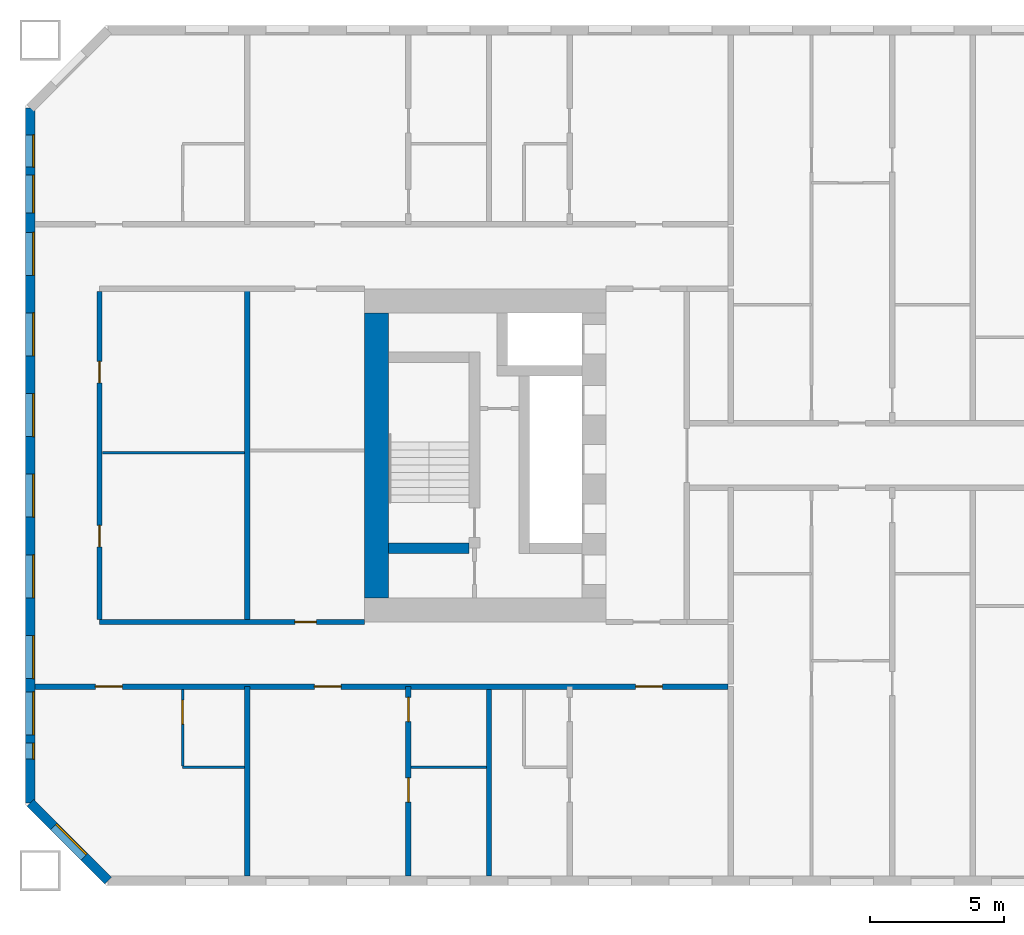
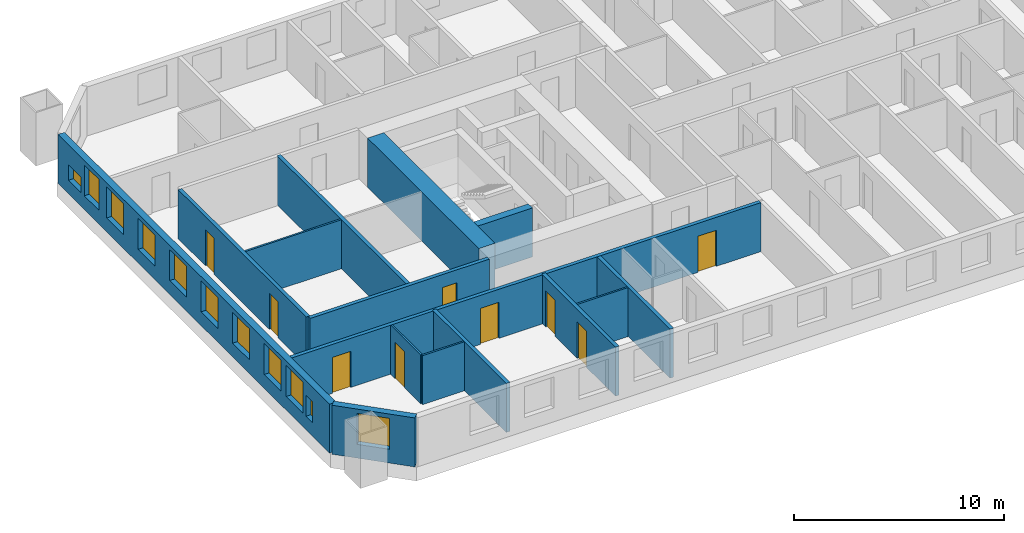
# One storey, part 2 of 16: 15 walls, 11 windows, 9 doors, 20 openings.
"""IFC4 building model written with IfcOpenShell, lengths in metres."""

from ifc_helpers import new_model, si_unit, direction, frame, frame_2d, origin, place, context, subcontext, project, spatial, rectangle, extrude, material, layer, layer_set, type_object, element, fill, save


model = new_model("IFC4")

# Units and contexts
model_context = context("Model", 3, precision=1e-05, world=origin(), true_north=direction((0.0, 1.0)))
body_context = subcontext(model_context, "Body", "Model", "MODEL_VIEW")
ifc_project = project(units=[si_unit("LENGTHUNIT", "METRE"), si_unit("AREAUNIT", "SQUARE_METRE"), si_unit("VOLUMEUNIT", "CUBIC_METRE"), si_unit("PLANEANGLEUNIT", "RADIAN"), si_unit("MASSUNIT", "GRAM", prefix="KILO")], contexts=[model_context])

# Site, building, storey
site_placement = place(None, origin())
site = spatial("IfcSite", under=ifc_project, at=site_placement, CompositionType="ELEMENT")
building_placement = place(site_placement, origin())
building = spatial("IfcBuilding", under=site, at=building_placement, Name="Tuart Gate Housing", CompositionType="ELEMENT")
storey_placement = place(building_placement, frame((0.0, 0.0, 19.5)))
storey = spatial("IfcBuildingStorey", under=building, at=storey_placement, Name="L04", CompositionType="ELEMENT", Elevation=19.5)

# Wall, opening, window
ifc_material_1 = material(Name="Brick", Category="masonry")
ifc_layer_1 = layer(ifc_material_1, 0.360107421875)
ifc_layer_set_1 = layer_set([ifc_layer_1], Name="Brick pier and spandrel wall 360")
wall_type_1 = type_object("IfcWallType", Name="Brick pier and spandrel wall 360", PredefinedType="STANDARD", material=ifc_layer_set_1)
wall_1_placement = place(storey_placement, frame((19.929931640625, 57.07470703125, 0.0), z_axis=(0.0, 0.0, 1.0), x_axis=(0.707106781187, -0.707106781187, 0.0)))
wall_1 = element("IfcWall", 1, at=wall_1_placement, inside=storey, type_object=wall_type_1, Name="External wall A-SW L04", PredefinedType="STANDARD", context=body_context, shape_type="SweptSolid", body=[
    extrude(rectangle(XDim=4.09375, YDim=0.360107421875, at=frame_2d((2.046875, 0.0))), origin(), (0.0, 0.0, 1.0), 2.85009765625),
])
opening_1_placement = place(wall_1_placement, frame((1.2470703125, 0.0, 0.800048828125)))
opening_1 = element("IfcOpeningElement", 2, at=opening_1_placement, cuts=wall_1, Name="Opening W1", PredefinedType="OPENING", context=body_context, shape_type="SweptSolid", body=[
    extrude(rectangle(XDim=1.60009765625, YDim=1.800048828125, at=frame_2d((0.800048828125, 0.89990234375))), frame((0.0, 0.18994140625, 0.0), z_axis=(0.0, -1.0, 0.0), x_axis=(1.0, 0.0, 0.0)), (0.0, 0.0, 1.0), 0.380126953125),
])
ifc_material_2 = material(Name="Aluminium frame with clear glass", Category="aluminium")
window_type_1 = type_object("IfcWindowType", Name="Punched window 1600 x 1800", PartitioningType="SINGLE_PANEL", PredefinedType="WINDOW", material=ifc_material_2)
window_1_placement = place(opening_1_placement, origin())
window_1 = element("IfcWindow", 3, at=window_1_placement, inside=storey, type_object=window_type_1, Name="Window W1", OverallHeight=1.800048828125, OverallWidth=1.60009765625, PartitioningType="SINGLE_PANEL", PredefinedType="WINDOW", context=body_context, shape_type="SweptSolid", body=[
    extrude(rectangle(XDim=1.60009765625, YDim=1.800048828125, at=frame_2d((0.800048828125, 0.89990234375))), frame((0.0, 0.150146484375, 0.0), z_axis=(0.0, -1.0, 0.0), x_axis=(1.0, 0.0, 0.0)), (0.0, 0.0, 1.0), 0.06005859375),
])
fill(opening_1, window_1)

# Wall, openings, windows
wall_2_placement = place(storey_placement, frame((19.929931640625, 82.92529296875, 0.0), z_axis=(0.0, 0.0, 1.0), x_axis=(0.0, -1.0, 0.0)))
wall_2 = element("IfcWall", 4, at=wall_2_placement, inside=storey, type_object=wall_type_1, Name="External wall A-W L04", PredefinedType="STANDARD", context=body_context, shape_type="SweptSolid", body=[
    extrude(rectangle(XDim=25.850830078125, YDim=0.360107421875, at=frame_2d((12.92529296875, 0.0))), origin(), (0.0, 0.0, 1.0), 2.85009765625),
])
opening_2_placement = place(wall_2_placement, frame((1.0, 0.0, 0.800048828125)))
opening_2 = element("IfcOpeningElement", 5, at=opening_2_placement, cuts=wall_2, Name="Opening W1T", PredefinedType="OPENING", context=body_context, shape_type="SweptSolid", body=[
    extrude(rectangle(XDim=1.199951171875, YDim=0.89990234375, at=frame_2d((0.60009765625, 0.449951171875))), frame((0.0, 0.18994140625, 0.0), z_axis=(0.0, -1.0, 0.0), x_axis=(1.0, 0.0, 0.0)), (0.0, 0.0, 1.0), 0.380126953125),
])
opening_3_placement = place(wall_2_placement, frame((4.62548828125, 0.0, 0.800048828125)))
opening_3 = element("IfcOpeningElement", 6, at=opening_3_placement, cuts=wall_2, Name="Opening W1", PredefinedType="OPENING", context=body_context, shape_type="SweptSolid", body=[
    extrude(rectangle(XDim=1.60009765625, YDim=1.800048828125, at=frame_2d((0.800048828125, 0.89990234375))), frame((0.0, 0.18994140625, 0.0), z_axis=(0.0, -1.0, 0.0), x_axis=(1.0, 0.0, 0.0)), (0.0, 0.0, 1.0), 0.380126953125),
])
opening_4_placement = place(wall_2_placement, frame((7.62548828125, 0.0, 0.800048828125)))
opening_4 = element("IfcOpeningElement", 7, at=opening_4_placement, cuts=wall_2, Name="Opening W1", PredefinedType="OPENING", context=body_context, shape_type="SweptSolid", body=[
    extrude(rectangle(XDim=1.60009765625, YDim=1.800048828125, at=frame_2d((0.800048828125, 0.89990234375))), frame((0.0, 0.18994140625, 0.0), z_axis=(0.0, -1.0, 0.0), x_axis=(1.0, 0.0, 0.0)), (0.0, 0.0, 1.0), 0.380126953125),
])
opening_5_placement = place(wall_2_placement, frame((10.62548828125, 0.0, 0.800048828125)))
opening_5 = element("IfcOpeningElement", 8, at=opening_5_placement, cuts=wall_2, Name="Opening W1", PredefinedType="OPENING", context=body_context, shape_type="SweptSolid", body=[
    extrude(rectangle(XDim=1.60009765625, YDim=1.800048828125, at=frame_2d((0.800048828125, 0.89990234375))), frame((0.0, 0.18994140625, 0.0), z_axis=(0.0, -1.0, 0.0), x_axis=(1.0, 0.0, 0.0)), (0.0, 0.0, 1.0), 0.380126953125),
])
opening_6_placement = place(wall_2_placement, frame((13.62548828125, 0.0, 0.800048828125)))
opening_6 = element("IfcOpeningElement", 9, at=opening_6_placement, cuts=wall_2, Name="Opening W1", PredefinedType="OPENING", context=body_context, shape_type="SweptSolid", body=[
    extrude(rectangle(XDim=1.60009765625, YDim=1.800048828125, at=frame_2d((0.800048828125, 0.89990234375))), frame((0.0, 0.18994140625, 0.0), z_axis=(0.0, -1.0, 0.0), x_axis=(1.0, 0.0, 0.0)), (0.0, 0.0, 1.0), 0.380126953125),
])
opening_7_placement = place(wall_2_placement, frame((16.62548828125, 0.0, 0.800048828125)))
opening_7 = element("IfcOpeningElement", 10, at=opening_7_placement, cuts=wall_2, Name="Opening W1", PredefinedType="OPENING", context=body_context, shape_type="SweptSolid", body=[
    extrude(rectangle(XDim=1.60009765625, YDim=1.800048828125, at=frame_2d((0.800048828125, 0.89990234375))), frame((0.0, 0.18994140625, 0.0), z_axis=(0.0, -1.0, 0.0), x_axis=(1.0, 0.0, 0.0)), (0.0, 0.0, 1.0), 0.380126953125),
])
opening_8_placement = place(wall_2_placement, frame((19.62548828125, 0.0, 0.800048828125)))
opening_8 = element("IfcOpeningElement", 11, at=opening_8_placement, cuts=wall_2, Name="Opening W1", PredefinedType="OPENING", context=body_context, shape_type="SweptSolid", body=[
    extrude(rectangle(XDim=1.60009765625, YDim=1.800048828125, at=frame_2d((0.800048828125, 0.89990234375))), frame((0.0, 0.18994140625, 0.0), z_axis=(0.0, -1.0, 0.0), x_axis=(1.0, 0.0, 0.0)), (0.0, 0.0, 1.0), 0.380126953125),
])
opening_9_placement = place(wall_2_placement, frame((21.725341796875, 0.0, 0.800048828125)))
opening_9 = element("IfcOpeningElement", 12, at=opening_9_placement, cuts=wall_2, Name="Opening W1", PredefinedType="OPENING", context=body_context, shape_type="SweptSolid", body=[
    extrude(rectangle(XDim=1.60009765625, YDim=1.800048828125, at=frame_2d((0.800048828125, 0.89990234375))), frame((0.0, 0.18994140625, 0.0), z_axis=(0.0, -1.0, 0.0), x_axis=(1.0, 0.0, 0.0)), (0.0, 0.0, 1.0), 0.380126953125),
])
opening_10_placement = place(wall_2_placement, frame((2.5, 0.0, 0.800048828125)))
opening_10 = element("IfcOpeningElement", 13, at=opening_10_placement, cuts=wall_2, Name="Opening W1A", PredefinedType="OPENING", context=body_context, shape_type="SweptSolid", body=[
    extrude(rectangle(XDim=1.39990234375, YDim=1.800048828125, at=frame_2d((0.699951171875, 0.89990234375))), frame((0.0, 0.18994140625, 0.0), z_axis=(0.0, -1.0, 0.0), x_axis=(1.0, 0.0, 0.0)), (0.0, 0.0, 1.0), 0.380126953125),
])
opening_11_placement = place(wall_2_placement, frame((23.62548828125, 0.0, 0.800048828125)))
opening_11 = element("IfcOpeningElement", 14, at=opening_11_placement, cuts=wall_2, Name="Opening W1Q", PredefinedType="OPENING", context=body_context, shape_type="SweptSolid", body=[
    extrude(rectangle(XDim=0.60009765625, YDim=1.199951171875, at=frame_2d((0.300048828125, 0.60009765625))), frame((0.0, 0.18994140625, 0.0), z_axis=(0.0, -1.0, 0.0), x_axis=(1.0, 0.0, 0.0)), (0.0, 0.0, 1.0), 0.380126953125),
])
ifc_material_3 = material(Name="Aluminium frame with clear glass", Category="aluminium")
window_type_2 = type_object("IfcWindowType", Name="Punched window 1200 x 900", PartitioningType="SINGLE_PANEL", PredefinedType="WINDOW", material=ifc_material_3)
window_2_placement = place(opening_2_placement, origin())
window_2 = element("IfcWindow", 15, at=window_2_placement, inside=storey, type_object=window_type_2, Name="Window W1T", OverallHeight=0.89990234375, OverallWidth=1.199951171875, PartitioningType="SINGLE_PANEL", PredefinedType="WINDOW", context=body_context, shape_type="SweptSolid", body=[
    extrude(rectangle(XDim=1.199951171875, YDim=0.89990234375, at=frame_2d((0.60009765625, 0.449951171875))), frame((0.0, 0.150146484375, 0.0), z_axis=(0.0, -1.0, 0.0), x_axis=(1.0, 0.0, 0.0)), (0.0, 0.0, 1.0), 0.06005859375),
])
fill(opening_2, window_2)
ifc_material_4 = material(Name="Aluminium frame with clear glass", Category="aluminium")
window_type_3 = type_object("IfcWindowType", Name="Punched window 1400 x 1800", PartitioningType="SINGLE_PANEL", PredefinedType="WINDOW", material=ifc_material_4)
window_3_placement = place(opening_10_placement, origin())
window_3 = element("IfcWindow", 16, at=window_3_placement, inside=storey, type_object=window_type_3, Name="Window W1A", OverallHeight=1.800048828125, OverallWidth=1.39990234375, PartitioningType="SINGLE_PANEL", PredefinedType="WINDOW", context=body_context, shape_type="SweptSolid", body=[
    extrude(rectangle(XDim=1.39990234375, YDim=1.800048828125, at=frame_2d((0.699951171875, 0.89990234375))), frame((0.0, 0.150146484375, 0.0), z_axis=(0.0, -1.0, 0.0), x_axis=(1.0, 0.0, 0.0)), (0.0, 0.0, 1.0), 0.06005859375),
])
fill(opening_10, window_3)
window_4_placement = place(opening_3_placement, origin())
window_4 = element("IfcWindow", 17, at=window_4_placement, inside=storey, type_object=window_type_1, Name="Window W1", OverallHeight=1.800048828125, OverallWidth=1.60009765625, PartitioningType="SINGLE_PANEL", PredefinedType="WINDOW", context=body_context, shape_type="SweptSolid", body=[
    extrude(rectangle(XDim=1.60009765625, YDim=1.800048828125, at=frame_2d((0.800048828125, 0.89990234375))), frame((0.0, 0.150146484375, 0.0), z_axis=(0.0, -1.0, 0.0), x_axis=(1.0, 0.0, 0.0)), (0.0, 0.0, 1.0), 0.06005859375),
])
fill(opening_3, window_4)
window_5_placement = place(opening_4_placement, origin())
window_5 = element("IfcWindow", 18, at=window_5_placement, inside=storey, type_object=window_type_1, Name="Window W1", OverallHeight=1.800048828125, OverallWidth=1.60009765625, PartitioningType="SINGLE_PANEL", PredefinedType="WINDOW", context=body_context, shape_type="SweptSolid", body=[
    extrude(rectangle(XDim=1.60009765625, YDim=1.800048828125, at=frame_2d((0.800048828125, 0.89990234375))), frame((0.0, 0.150146484375, 0.0), z_axis=(0.0, -1.0, 0.0), x_axis=(1.0, 0.0, 0.0)), (0.0, 0.0, 1.0), 0.06005859375),
])
fill(opening_4, window_5)
window_6_placement = place(opening_5_placement, origin())
window_6 = element("IfcWindow", 19, at=window_6_placement, inside=storey, type_object=window_type_1, Name="Window W1", OverallHeight=1.800048828125, OverallWidth=1.60009765625, PartitioningType="SINGLE_PANEL", PredefinedType="WINDOW", context=body_context, shape_type="SweptSolid", body=[
    extrude(rectangle(XDim=1.60009765625, YDim=1.800048828125, at=frame_2d((0.800048828125, 0.89990234375))), frame((0.0, 0.150146484375, 0.0), z_axis=(0.0, -1.0, 0.0), x_axis=(1.0, 0.0, 0.0)), (0.0, 0.0, 1.0), 0.06005859375),
])
fill(opening_5, window_6)
window_7_placement = place(opening_6_placement, origin())
window_7 = element("IfcWindow", 20, at=window_7_placement, inside=storey, type_object=window_type_1, Name="Window W1", OverallHeight=1.800048828125, OverallWidth=1.60009765625, PartitioningType="SINGLE_PANEL", PredefinedType="WINDOW", context=body_context, shape_type="SweptSolid", body=[
    extrude(rectangle(XDim=1.60009765625, YDim=1.800048828125, at=frame_2d((0.800048828125, 0.89990234375))), frame((0.0, 0.150146484375, 0.0), z_axis=(0.0, -1.0, 0.0), x_axis=(1.0, 0.0, 0.0)), (0.0, 0.0, 1.0), 0.06005859375),
])
fill(opening_6, window_7)
window_8_placement = place(opening_7_placement, origin())
window_8 = element("IfcWindow", 21, at=window_8_placement, inside=storey, type_object=window_type_1, Name="Window W1", OverallHeight=1.800048828125, OverallWidth=1.60009765625, PartitioningType="SINGLE_PANEL", PredefinedType="WINDOW", context=body_context, shape_type="SweptSolid", body=[
    extrude(rectangle(XDim=1.60009765625, YDim=1.800048828125, at=frame_2d((0.800048828125, 0.89990234375))), frame((0.0, 0.150146484375, 0.0), z_axis=(0.0, -1.0, 0.0), x_axis=(1.0, 0.0, 0.0)), (0.0, 0.0, 1.0), 0.06005859375),
])
fill(opening_7, window_8)
window_9_placement = place(opening_8_placement, origin())
window_9 = element("IfcWindow", 22, at=window_9_placement, inside=storey, type_object=window_type_1, Name="Window W1", OverallHeight=1.800048828125, OverallWidth=1.60009765625, PartitioningType="SINGLE_PANEL", PredefinedType="WINDOW", context=body_context, shape_type="SweptSolid", body=[
    extrude(rectangle(XDim=1.60009765625, YDim=1.800048828125, at=frame_2d((0.800048828125, 0.89990234375))), frame((0.0, 0.150146484375, 0.0), z_axis=(0.0, -1.0, 0.0), x_axis=(1.0, 0.0, 0.0)), (0.0, 0.0, 1.0), 0.06005859375),
])
fill(opening_8, window_9)
window_10_placement = place(opening_9_placement, origin())
window_10 = element("IfcWindow", 23, at=window_10_placement, inside=storey, type_object=window_type_1, Name="Window W1", OverallHeight=1.800048828125, OverallWidth=1.60009765625, PartitioningType="SINGLE_PANEL", PredefinedType="WINDOW", context=body_context, shape_type="SweptSolid", body=[
    extrude(rectangle(XDim=1.60009765625, YDim=1.800048828125, at=frame_2d((0.800048828125, 0.89990234375))), frame((0.0, 0.150146484375, 0.0), z_axis=(0.0, -1.0, 0.0), x_axis=(1.0, 0.0, 0.0)), (0.0, 0.0, 1.0), 0.06005859375),
])
fill(opening_9, window_10)
ifc_material_5 = material(Name="Aluminium frame with clear glass", Category="aluminium")
window_type_4 = type_object("IfcWindowType", Name="Punched window 600 x 1200", PartitioningType="SINGLE_PANEL", PredefinedType="WINDOW", material=ifc_material_5)
window_11_placement = place(opening_11_placement, origin())
window_11 = element("IfcWindow", 24, at=window_11_placement, inside=storey, type_object=window_type_4, Name="Window W1Q", OverallHeight=1.199951171875, OverallWidth=0.60009765625, PartitioningType="SINGLE_PANEL", PredefinedType="WINDOW", context=body_context, shape_type="SweptSolid", body=[
    extrude(rectangle(XDim=0.60009765625, YDim=1.199951171875, at=frame_2d((0.300048828125, 0.60009765625))), frame((0.0, 0.150146484375, 0.0), z_axis=(0.0, -1.0, 0.0), x_axis=(1.0, 0.0, 0.0)), (0.0, 0.0, 1.0), 0.06005859375),
])
fill(opening_11, window_11)

# Walls
ifc_material_6 = material(Name="Concrete C60", Category="concrete")
ifc_layer_2 = layer(ifc_material_6, 0.39990234375)
ifc_layer_set_2 = layer_set([ifc_layer_2], Name="Core wall 400 C60")
wall_type_2 = type_object("IfcWallType", Name="Core wall 400 C60", PredefinedType="SHEAR", material=ifc_layer_set_2)
wall_3_placement = place(storey_placement, frame((36.260009765625, 66.550048828125, 0.0), z_axis=(0.0, 0.0, 1.0), x_axis=(-1.0, 0.0, 0.0)))
element("IfcWall", 25, at=wall_3_placement, inside=storey, type_object=wall_type_2, Name="Core wall AK.5", PredefinedType="SHEAR", context=body_context, shape_type="SweptSolid", body=[
    extrude(rectangle(XDim=3.0, YDim=0.39990234375, at=frame_2d((1.5, 0.0))), origin(), (0.0, 0.0, 1.0), 2.85009765625),
])
ifc_material_7 = material(Name="Concrete C60", Category="concrete")
ifc_layer_3 = layer(ifc_material_7, 0.89990234375)
ifc_layer_set_3 = layer_set([ifc_layer_3], Name="Core wall 900 C60")
wall_type_3 = type_object("IfcWallType", Name="Core wall 900 C60", PredefinedType="SHEAR", material=ifc_layer_set_3)
wall_4_placement = place(storey_placement, frame((32.81005859375, 75.300048828125, 0.0), z_axis=(0.0, 0.0, 1.0), x_axis=(0.0, -1.0, 0.0)))
element("IfcWall", 26, at=wall_4_placement, inside=storey, type_object=wall_type_3, Name="Core wall AK back", PredefinedType="SHEAR", context=body_context, shape_type="SweptSolid", body=[
    extrude(rectangle(XDim=10.60009765625, YDim=0.89990234375, at=frame_2d((5.300048828125, 0.0))), origin(), (0.0, 0.0, 1.0), 2.85009765625),
])

# Wall, openings, doors
ifc_material_8 = material(Name="Concrete masonry 15 MPa", Category="masonry")
ifc_layer_4 = layer(ifc_material_8, 0.199951171875)
ifc_layer_set_4 = layer_set([ifc_layer_4], Name="Corridor wall masonry 200")
wall_type_4 = type_object("IfcWallType", Name="Corridor wall masonry 200", PredefinedType="PARTITIONING", material=ifc_layer_set_4)
wall_5_placement = place(storey_placement, frame((20.110107421875, 61.39990234375, 0.0), z_axis=(0.0, 0.0, 1.0), x_axis=(1.0, 0.0, 0.0)))
wall_5 = element("IfcWall", 27, at=wall_5_placement, inside=storey, type_object=wall_type_4, Name="Corridor wall masonry 200", PredefinedType="PARTITIONING", context=body_context, shape_type="SweptSolid", body=[
    extrude(rectangle(XDim=25.789794921875, YDim=0.199951171875, at=frame_2d((12.89501953125, 0.0))), origin(), (0.0, 0.0, 1.0), 2.85009765625),
])
opening_12_placement = place(wall_5_placement, frame((22.340087890625, 0.0, 0.0)))
opening_12 = element("IfcOpeningElement", 28, at=opening_12_placement, cuts=wall_5, Name="Opening D397", PredefinedType="OPENING", context=body_context, shape_type="SweptSolid", body=[
    extrude(rectangle(XDim=1.0, YDim=2.10009765625, at=frame_2d((0.5, 1.050048828125))), frame((0.0, 0.10986328125, 0.0), z_axis=(0.0, -1.0, 0.0), x_axis=(1.0, 0.0, 0.0)), (0.0, 0.0, 1.0), 0.219970703125),
])
opening_13_placement = place(wall_5_placement, frame((10.389892578125, 0.0, 0.0)))
opening_13 = element("IfcOpeningElement", 29, at=opening_13_placement, cuts=wall_5, Name="Opening D398", PredefinedType="OPENING", context=body_context, shape_type="SweptSolid", body=[
    extrude(rectangle(XDim=1.0, YDim=2.10009765625, at=frame_2d((0.5, 1.050048828125))), frame((0.0, 0.10986328125, 0.0), z_axis=(0.0, -1.0, 0.0), x_axis=(1.0, 0.0, 0.0)), (0.0, 0.0, 1.0), 0.219970703125),
])
opening_14_placement = place(wall_5_placement, frame((2.2451171875, 0.0, 0.0)))
opening_14 = element("IfcOpeningElement", 30, at=opening_14_placement, cuts=wall_5, Name="Opening D399", PredefinedType="OPENING", context=body_context, shape_type="SweptSolid", body=[
    extrude(rectangle(XDim=1.0, YDim=2.10009765625, at=frame_2d((0.5, 1.050048828125))), frame((0.0, 0.10986328125, 0.0), z_axis=(0.0, -1.0, 0.0), x_axis=(1.0, 0.0, 0.0)), (0.0, 0.0, 1.0), 0.219970703125),
])
ifc_material_9 = material(Name="Timber door leaf in steel frame", Category="steel")
door_type_1 = type_object("IfcDoorType", Name="Flat entrance door 1000 RH", OperationType="SINGLE_SWING_RIGHT", PredefinedType="DOOR", material=ifc_material_9)
door_1_placement = place(opening_12_placement, frame((1.0, 0.0, 0.0), z_axis=(0.0, 0.0, 1.0), x_axis=(-1.0, 0.0, 0.0)))
door_1 = element("IfcDoor", 31, at=door_1_placement, inside=storey, type_object=door_type_1, Name="Flat entrance door", OperationType="SINGLE_SWING_RIGHT", OverallHeight=2.10009765625, OverallWidth=1.0, PredefinedType="DOOR", context=body_context, shape_type="SweptSolid", body=[
    extrude(rectangle(XDim=1.0, YDim=2.10009765625, at=frame_2d((0.5, 1.050048828125))), frame((0.0, 0.025146484375, 0.0), z_axis=(0.0, -1.0, 0.0), x_axis=(1.0, 0.0, 0.0)), (0.0, 0.0, 1.0), 0.050048828125),
])
fill(opening_12, door_1)
door_2_placement = place(opening_13_placement, frame((1.0, 0.0, 0.0), z_axis=(0.0, 0.0, 1.0), x_axis=(-1.0, 0.0, 0.0)))
door_2 = element("IfcDoor", 32, at=door_2_placement, inside=storey, type_object=door_type_1, Name="Flat entrance door", OperationType="SINGLE_SWING_RIGHT", OverallHeight=2.10009765625, OverallWidth=1.0, PredefinedType="DOOR", context=body_context, shape_type="SweptSolid", body=[
    extrude(rectangle(XDim=1.0, YDim=2.10009765625, at=frame_2d((0.5, 1.050048828125))), frame((0.0, 0.025146484375, 0.0), z_axis=(0.0, -1.0, 0.0), x_axis=(1.0, 0.0, 0.0)), (0.0, 0.0, 1.0), 0.050048828125),
])
fill(opening_13, door_2)
door_3_placement = place(opening_14_placement, frame((1.0, 0.0, 0.0), z_axis=(0.0, 0.0, 1.0), x_axis=(-1.0, 0.0, 0.0)))
door_3 = element("IfcDoor", 33, at=door_3_placement, inside=storey, type_object=door_type_1, Name="Flat entrance door", OperationType="SINGLE_SWING_RIGHT", OverallHeight=2.10009765625, OverallWidth=1.0, PredefinedType="DOOR", context=body_context, shape_type="SweptSolid", body=[
    extrude(rectangle(XDim=1.0, YDim=2.10009765625, at=frame_2d((0.5, 1.050048828125))), frame((0.0, 0.025146484375, 0.0), z_axis=(0.0, -1.0, 0.0), x_axis=(1.0, 0.0, 0.0)), (0.0, 0.0, 1.0), 0.050048828125),
])
fill(opening_14, door_3)

# Wall, opening, door
wall_6_placement = place(storey_placement, frame((22.510009765625, 63.800048828125, 0.0), z_axis=(0.0, 0.0, 1.0), x_axis=(1.0, 0.0, 0.0)))
wall_6 = element("IfcWall", 34, at=wall_6_placement, inside=storey, type_object=wall_type_4, Name="Corridor wall masonry 200", PredefinedType="PARTITIONING", context=body_context, shape_type="SweptSolid", body=[
    extrude(rectangle(XDim=9.85009765625, YDim=0.199951171875, at=frame_2d((4.925048828125, 0.0))), origin(), (0.0, 0.0, 1.0), 2.85009765625),
])
opening_15_placement = place(wall_6_placement, frame((7.27001953125, 0.0, 0.0)))
opening_15 = element("IfcOpeningElement", 35, at=opening_15_placement, cuts=wall_6, Name="Opening D384", PredefinedType="OPENING", context=body_context, shape_type="SweptSolid", body=[
    extrude(rectangle(XDim=0.800048828125, YDim=2.10009765625, at=frame_2d((0.39990234375, 1.050048828125))), frame((0.0, 0.10986328125, 0.0), z_axis=(0.0, -1.0, 0.0), x_axis=(1.0, 0.0, 0.0)), (0.0, 0.0, 1.0), 0.219970703125),
])
ifc_material_10 = material(Name="Timber door leaf in steel frame", Category="steel")
door_type_2 = type_object("IfcDoorType", Name="Store door 800", OperationType="SINGLE_SWING_LEFT", PredefinedType="DOOR", material=ifc_material_10)
door_4_placement = place(opening_15_placement, origin())
door_4 = element("IfcDoor", 36, at=door_4_placement, inside=storey, type_object=door_type_2, Name="Store door", OperationType="SINGLE_SWING_LEFT", OverallHeight=2.10009765625, OverallWidth=0.800048828125, PredefinedType="DOOR", context=body_context, shape_type="SweptSolid", body=[
    extrude(rectangle(XDim=0.800048828125, YDim=2.10009765625, at=frame_2d((0.39990234375, 1.050048828125))), frame((0.0, 0.02490234375, 0.0), z_axis=(0.0, -1.0, 0.0), x_axis=(1.0, 0.0, 0.0)), (0.0, 0.0, 1.0), 0.050048828125),
])
fill(opening_15, door_4)

# Wall, openings, doors
wall_7_placement = place(storey_placement, frame((22.510009765625, 63.89990234375, 0.0), z_axis=(0.0, 0.0, 1.0), x_axis=(0.0, 1.0, 0.0)))
wall_7 = element("IfcWall", 37, at=wall_7_placement, inside=storey, type_object=wall_type_4, Name="Corridor wall masonry 200", PredefinedType="PARTITIONING", context=body_context, shape_type="SweptSolid", body=[
    extrude(rectangle(XDim=12.2001953125, YDim=0.199951171875, at=frame_2d((6.10009765625, 0.0))), origin(), (0.0, 0.0, 1.0), 2.85009765625),
])
opening_16_placement = place(wall_7_placement, frame((2.699951171875, 0.0, 0.0)))
opening_16 = element("IfcOpeningElement", 38, at=opening_16_placement, cuts=wall_7, Name="Opening D373", PredefinedType="OPENING", context=body_context, shape_type="SweptSolid", body=[
    extrude(rectangle(XDim=0.800048828125, YDim=2.10009765625, at=frame_2d((0.39990234375, 1.050048828125))), frame((0.0, 0.10986328125, 0.0), z_axis=(0.0, -1.0, 0.0), x_axis=(1.0, 0.0, 0.0)), (0.0, 0.0, 1.0), 0.219970703125),
])
opening_17_placement = place(wall_7_placement, frame((8.800048828125, 0.0, 0.0)))
opening_17 = element("IfcOpeningElement", 39, at=opening_17_placement, cuts=wall_7, Name="Opening D374", PredefinedType="OPENING", context=body_context, shape_type="SweptSolid", body=[
    extrude(rectangle(XDim=0.800048828125, YDim=2.10009765625, at=frame_2d((0.39990234375, 1.050048828125))), frame((0.0, 0.10986328125, 0.0), z_axis=(0.0, -1.0, 0.0), x_axis=(1.0, 0.0, 0.0)), (0.0, 0.0, 1.0), 0.219970703125),
])
door_5_placement = place(opening_16_placement, frame((0.800048828125, 0.0, 0.0), z_axis=(0.0, 0.0, 1.0), x_axis=(-1.0, 0.0, 0.0)))
door_5 = element("IfcDoor", 40, at=door_5_placement, inside=storey, type_object=door_type_2, Name="Store door", OperationType="SINGLE_SWING_LEFT", OverallHeight=2.10009765625, OverallWidth=0.800048828125, PredefinedType="DOOR", context=body_context, shape_type="SweptSolid", body=[
    extrude(rectangle(XDim=0.800048828125, YDim=2.10009765625, at=frame_2d((0.400146484375, 1.050048828125))), frame((0.0, 0.025146484375, 0.0), z_axis=(0.0, -1.0, 0.0), x_axis=(1.0, 0.0, 0.0)), (0.0, 0.0, 1.0), 0.050048828125),
])
fill(opening_16, door_5)
ifc_material_11 = material(Name="Timber door leaf in steel frame", Category="steel")
door_type_3 = type_object("IfcDoorType", Name="Store door 800 RH", OperationType="SINGLE_SWING_RIGHT", PredefinedType="DOOR", material=ifc_material_11)
door_6_placement = place(opening_17_placement, frame((0.800048828125, 0.0, 0.0), z_axis=(0.0, 0.0, 1.0), x_axis=(-1.0, 0.0, 0.0)))
door_6 = element("IfcDoor", 41, at=door_6_placement, inside=storey, type_object=door_type_3, Name="Store door", OperationType="SINGLE_SWING_RIGHT", OverallHeight=2.10009765625, OverallWidth=0.800048828125, PredefinedType="DOOR", context=body_context, shape_type="SweptSolid", body=[
    extrude(rectangle(XDim=0.800048828125, YDim=2.10009765625, at=frame_2d((0.400146484375, 1.050048828125))), frame((0.0, 0.025146484375, 0.0), z_axis=(0.0, -1.0, 0.0), x_axis=(1.0, 0.0, 0.0)), (0.0, 0.0, 1.0), 0.050048828125),
])
fill(opening_17, door_6)

# Walls
ifc_material_12 = material(Name="Gypsum board on steel studs", Category="steel")
ifc_layer_5 = layer(ifc_material_12, 0.10009765625)
ifc_layer_set_5 = layer_set([ifc_layer_5], Name="Partition 100")
wall_type_5 = type_object("IfcWallType", Name="Partition 100", PredefinedType="PARTITIONING", material=ifc_layer_set_5)
wall_8_placement = place(storey_placement, frame((25.60009765625, 58.39990234375, 0.0), z_axis=(0.0, 0.0, 1.0), x_axis=(1.0, 0.0, 0.0)))
element("IfcWall", 42, at=wall_8_placement, inside=storey, type_object=wall_type_5, Name="Partition 100", PredefinedType="PARTITIONING", context=body_context, shape_type="SweptSolid", body=[
    extrude(rectangle(XDim=2.2998046875, YDim=0.10009765625, at=frame_2d((1.14990234375, 0.0))), origin(), (0.0, 0.0, 1.0), 2.85009765625),
])
wall_9_placement = place(storey_placement, frame((34.10009765625, 58.39990234375, 0.0), z_axis=(0.0, 0.0, 1.0), x_axis=(1.0, 0.0, 0.0)))
element("IfcWall", 43, at=wall_9_placement, inside=storey, type_object=wall_type_5, Name="Partition 100", PredefinedType="PARTITIONING", context=body_context, shape_type="SweptSolid", body=[
    extrude(rectangle(XDim=2.7998046875, YDim=0.10009765625, at=frame_2d((1.39990234375, 0.0))), origin(), (0.0, 0.0, 1.0), 2.85009765625),
])
wall_10_placement = place(storey_placement, frame((22.610107421875, 70.10009765625, 0.0), z_axis=(0.0, 0.0, 1.0), x_axis=(1.0, 0.0, 0.0)))
element("IfcWall", 44, at=wall_10_placement, inside=storey, type_object=wall_type_5, Name="Partition 100", PredefinedType="PARTITIONING", context=body_context, shape_type="SweptSolid", body=[
    extrude(rectangle(XDim=5.289794921875, YDim=0.10009765625, at=frame_2d((2.64501953125, 0.0))), origin(), (0.0, 0.0, 1.0), 2.85009765625),
])

# Wall, opening, door
wall_11_placement = place(storey_placement, frame((25.60009765625, 58.449951171875, 0.0), z_axis=(0.0, 0.0, 1.0), x_axis=(0.0, 1.0, 0.0)))
wall_11 = element("IfcWall", 45, at=wall_11_placement, inside=storey, type_object=wall_type_5, Name="Partition 100", PredefinedType="PARTITIONING", context=body_context, shape_type="SweptSolid", body=[
    extrude(rectangle(XDim=2.85009765625, YDim=0.10009765625, at=frame_2d((1.425048828125, 0.0))), origin(), (0.0, 0.0, 1.0), 2.85009765625),
])
opening_18_placement = place(wall_11_placement, frame((1.550048828125, 0.0, 0.0)))
opening_18 = element("IfcOpeningElement", 46, at=opening_18_placement, cuts=wall_11, Name="Opening D402", PredefinedType="OPENING", context=body_context, shape_type="SweptSolid", body=[
    extrude(rectangle(XDim=0.89990234375, YDim=2.10009765625, at=frame_2d((0.449951171875, 1.050048828125))), frame((0.0, 0.06005859375, 0.0), z_axis=(0.0, -1.0, 0.0), x_axis=(1.0, 0.0, 0.0)), (0.0, 0.0, 1.0), 0.1201171875),
])
ifc_material_13 = material(Name="Timber door leaf in steel frame", Category="steel")
door_type_4 = type_object("IfcDoorType", Name="Bathroom door 900", OperationType="SINGLE_SWING_LEFT", PredefinedType="DOOR", material=ifc_material_13)
door_7_placement = place(opening_18_placement, frame((0.89990234375, 0.0, 0.0), z_axis=(0.0, 0.0, 1.0), x_axis=(-1.0, 0.0, 0.0)))
door_7 = element("IfcDoor", 47, at=door_7_placement, inside=storey, type_object=door_type_4, Name="Bathroom door", OperationType="SINGLE_SWING_LEFT", OverallHeight=2.10009765625, OverallWidth=0.89990234375, PredefinedType="DOOR", context=body_context, shape_type="SweptSolid", body=[
    extrude(rectangle(XDim=0.89990234375, YDim=2.10009765625, at=frame_2d((0.449951171875, 1.050048828125))), frame((0.0, 0.025146484375, 0.0), z_axis=(0.0, -1.0, 0.0), x_axis=(1.0, 0.0, 0.0)), (0.0, 0.0, 1.0), 0.050048828125),
])
fill(opening_18, door_7)

# Walls
ifc_material_14 = material(Name="Concrete C40", Category="concrete")
ifc_layer_6 = layer(ifc_material_14, 0.199951171875)
ifc_layer_set_6 = layer_set([ifc_layer_6], Name="Party wall concrete C40 200")
wall_type_6 = type_object("IfcWallType", Name="Party wall concrete C40 200", PredefinedType="SOLIDWALL", material=ifc_layer_set_6)
wall_12_placement = place(storey_placement, frame((28.0, 54.360107421875, 0.0), z_axis=(0.0, 0.0, 1.0), x_axis=(0.0, 1.0, 0.0)))
element("IfcWall", 48, at=wall_12_placement, inside=storey, type_object=wall_type_6, Name="Party wall concrete C40 200", PredefinedType="SOLIDWALL", context=body_context, shape_type="SweptSolid", body=[
    extrude(rectangle(XDim=7.039794921875, YDim=0.199951171875, at=frame_2d((3.52001953125, 0.0))), origin(), (0.0, 0.0, 1.0), 2.85009765625),
])
wall_13_placement = place(storey_placement, frame((28.0, 63.800048828125, 0.0), z_axis=(0.0, 0.0, 1.0), x_axis=(0.0, 1.0, 0.0)))
element("IfcWall", 49, at=wall_13_placement, inside=storey, type_object=wall_type_6, Name="Party wall concrete C40 200", PredefinedType="SOLIDWALL", context=body_context, shape_type="SweptSolid", body=[
    extrude(rectangle(XDim=12.39990234375, YDim=0.199951171875, at=frame_2d((6.199951171875, 0.0))), origin(), (0.0, 0.0, 1.0), 2.85009765625),
])

# Wall, openings, doors
wall_14_placement = place(storey_placement, frame((34.0, 54.360107421875, 0.0), z_axis=(0.0, 0.0, 1.0), x_axis=(0.0, 1.0, 0.0)))
wall_14 = element("IfcWall", 50, at=wall_14_placement, inside=storey, type_object=wall_type_6, Name="Party wall concrete C40 200", PredefinedType="SOLIDWALL", context=body_context, shape_type="SweptSolid", body=[
    extrude(rectangle(XDim=7.039794921875, YDim=0.199951171875, at=frame_2d((3.52001953125, 0.0))), origin(), (0.0, 0.0, 1.0), 2.85009765625),
])
opening_19_placement = place(wall_14_placement, frame((2.739990234375, 0.0, 0.0)))
opening_19 = element("IfcOpeningElement", 51, at=opening_19_placement, cuts=wall_14, Name="Opening D406", PredefinedType="OPENING", context=body_context, shape_type="SweptSolid", body=[
    extrude(rectangle(XDim=0.89990234375, YDim=2.10009765625, at=frame_2d((0.449951171875, 1.050048828125))), frame((0.0, 0.10986328125, 0.0), z_axis=(0.0, -1.0, 0.0), x_axis=(1.0, 0.0, 0.0)), (0.0, 0.0, 1.0), 0.219970703125),
])
opening_20_placement = place(wall_14_placement, frame((5.739990234375, 0.0, 0.0)))
opening_20 = element("IfcOpeningElement", 52, at=opening_20_placement, cuts=wall_14, Name="Opening D405", PredefinedType="OPENING", context=body_context, shape_type="SweptSolid", body=[
    extrude(rectangle(XDim=0.89990234375, YDim=2.10009765625, at=frame_2d((0.449951171875, 1.050048828125))), frame((0.0, 0.10986328125, 0.0), z_axis=(0.0, -1.0, 0.0), x_axis=(1.0, 0.0, 0.0)), (0.0, 0.0, 1.0), 0.219970703125),
])
door_8_placement = place(opening_20_placement, frame((0.89990234375, 0.0, 0.0), z_axis=(0.0, 0.0, 1.0), x_axis=(-1.0, 0.0, 0.0)))
door_8 = element("IfcDoor", 53, at=door_8_placement, inside=storey, type_object=door_type_4, Name="Bathroom door", OperationType="SINGLE_SWING_LEFT", OverallHeight=2.10009765625, OverallWidth=0.89990234375, PredefinedType="DOOR", context=body_context, shape_type="SweptSolid", body=[
    extrude(rectangle(XDim=0.89990234375, YDim=2.10009765625, at=frame_2d((0.449951171875, 1.050048828125))), frame((0.0, 0.025146484375, 0.0), z_axis=(0.0, -1.0, 0.0), x_axis=(1.0, 0.0, 0.0)), (0.0, 0.0, 1.0), 0.050048828125),
])
fill(opening_20, door_8)
ifc_material_15 = material(Name="Timber door leaf in steel frame", Category="steel")
door_type_5 = type_object("IfcDoorType", Name="Internal door 900", OperationType="SINGLE_SWING_LEFT", PredefinedType="DOOR", material=ifc_material_15)
door_9_placement = place(opening_19_placement, frame((0.89990234375, 0.0, 0.0), z_axis=(0.0, 0.0, 1.0), x_axis=(-1.0, 0.0, 0.0)))
door_9 = element("IfcDoor", 54, at=door_9_placement, inside=storey, type_object=door_type_5, Name="Internal door", OperationType="SINGLE_SWING_LEFT", OverallHeight=2.10009765625, OverallWidth=0.89990234375, PredefinedType="DOOR", context=body_context, shape_type="SweptSolid", body=[
    extrude(rectangle(XDim=0.89990234375, YDim=2.10009765625, at=frame_2d((0.449951171875, 1.050048828125))), frame((0.0, 0.025146484375, 0.0), z_axis=(0.0, -1.0, 0.0), x_axis=(1.0, 0.0, 0.0)), (0.0, 0.0, 1.0), 0.050048828125),
])
fill(opening_19, door_9)

# Wall
ifc_material_16 = material(Name="Concrete masonry 15 MPa", Category="masonry")
ifc_layer_7 = layer(ifc_material_16, 0.199951171875)
ifc_layer_set_7 = layer_set([ifc_layer_7], Name="Party wall masonry 200")
wall_type_7 = type_object("IfcWallType", Name="Party wall masonry 200", PredefinedType="PARTITIONING", material=ifc_layer_set_7)
wall_15_placement = place(storey_placement, frame((37.0, 54.360107421875, 0.0), z_axis=(0.0, 0.0, 1.0), x_axis=(0.0, 1.0, 0.0)))
element("IfcWall", 55, at=wall_15_placement, inside=storey, type_object=wall_type_7, Name="Party wall masonry 200", PredefinedType="PARTITIONING", context=body_context, shape_type="SweptSolid", body=[
    extrude(rectangle(XDim=6.93994140625, YDim=0.199951171875, at=frame_2d((3.469970703125, 0.0))), origin(), (0.0, 0.0, 1.0), 2.85009765625),
])

save(model, "model.ifc")
